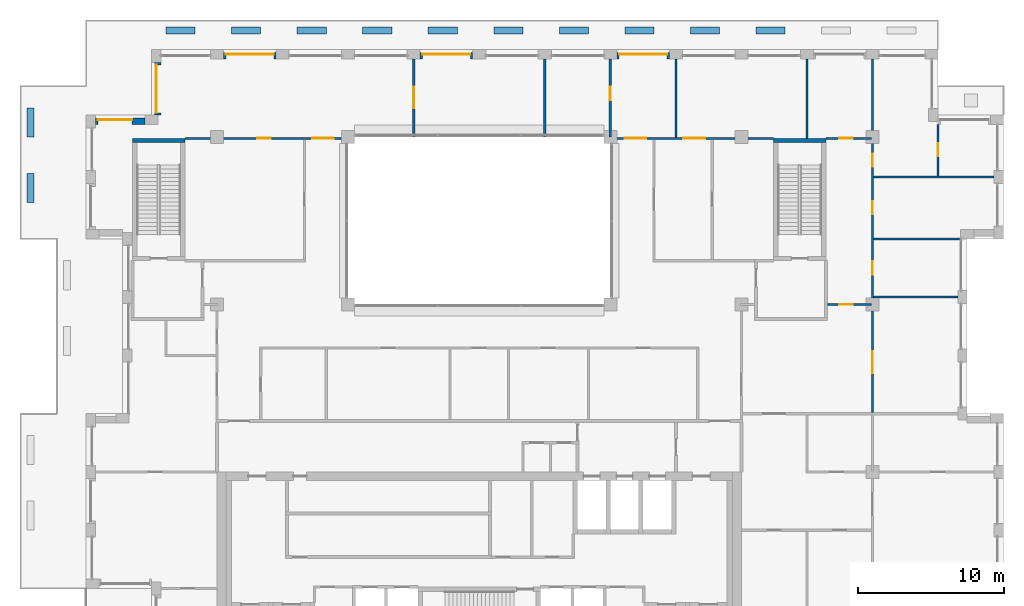
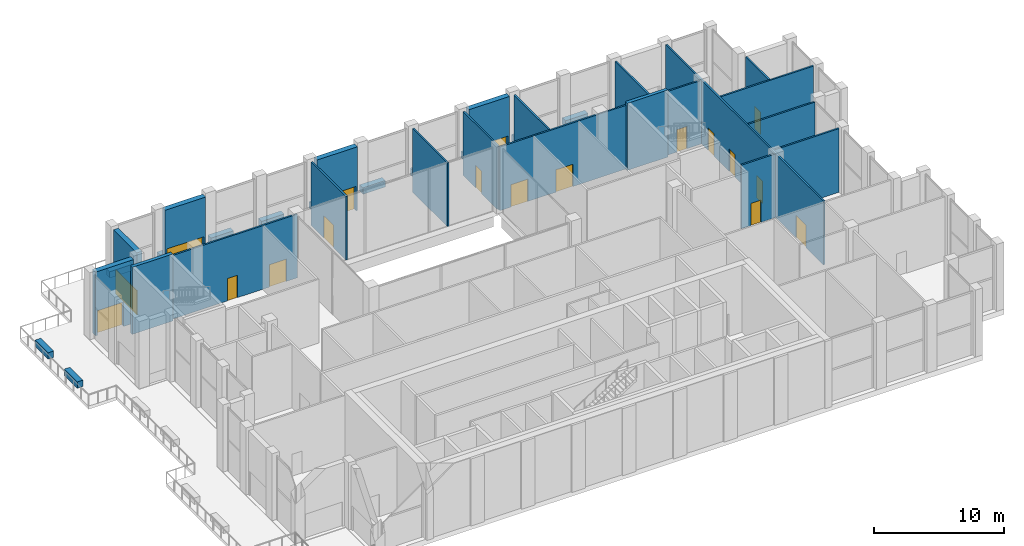
# One storey, part 15 of 18: 33 walls, 18 doors, 18 openings.
"""IFC4 building model written with IfcOpenShell, lengths in metres."""

from ifc_helpers import new_model, si_unit, direction, frame, frame_2d, origin, place, context, subcontext, project, spatial, rectangle, extrude, material, layer, layer_set, type_object, element, fill, save


model = new_model("IFC4")

# Units and contexts
model_context = context("Model", 3, precision=1e-05, world=origin(), true_north=direction((0.0, 1.0)))
body_context = subcontext(model_context, "Body", "Model", "MODEL_VIEW")
ifc_project = project(units=[si_unit("LENGTHUNIT", "METRE"), si_unit("AREAUNIT", "SQUARE_METRE"), si_unit("VOLUMEUNIT", "CUBIC_METRE"), si_unit("PLANEANGLEUNIT", "RADIAN"), si_unit("MASSUNIT", "GRAM", prefix="KILO")], contexts=[model_context])

# Site, building, storey
site_placement = place(None, origin())
site = spatial("IfcSite", under=ifc_project, at=site_placement, CompositionType="ELEMENT")
building_placement = place(site_placement, origin())
building = spatial("IfcBuilding", under=site, at=building_placement, Name="Brigalow Station Residences", CompositionType="ELEMENT")
storey_placement = place(building_placement, frame((0.0, 0.0, 191.699951171875)))
storey = spatial("IfcBuildingStorey", under=building, at=storey_placement, Name="L55", CompositionType="ELEMENT", Elevation=191.699951171875)

# Wall, opening, door
ifc_material_1 = material(Name="Clay brick masonry", Category="masonry")
ifc_layer_1 = layer(ifc_material_1, 0.449951171875)
ifc_layer_set_1 = layer_set([ifc_layer_1], Name="BRICK INFILL WALL 450")
wall_type_1 = type_object("IfcWallType", Name="BRICK INFILL WALL 450", PredefinedType="SOLIDWALL", material=ifc_layer_set_1)
wall_1_placement = place(storey_placement, frame((49.050048828125, 41.074951171875, 0.0), z_axis=(0.0, 0.0, 1.0), x_axis=(-1.0, 0.0, 0.0)))
wall_1 = element("IfcWall", 1, at=wall_1_placement, inside=storey, type_object=wall_type_1, Name="L55/ewall/W-L55-24", PredefinedType="SOLIDWALL", context=body_context, shape_type="SweptSolid", body=[
    extrude(rectangle(XDim=3.60009765625, YDim=0.449951171875, at=frame_2d((1.800048828125, 0.0))), origin(), (0.0, 0.0, 1.0), 5.97998046875),
])
opening_1_placement = place(wall_1_placement, frame((0.14990234375, 0.0, 0.0)))
opening_1 = element("IfcOpeningElement", 2, at=opening_1_placement, cuts=wall_1, Name="Opening D-B3300", PredefinedType="OPENING", context=body_context, shape_type="SweptSolid", body=[
    extrude(rectangle(XDim=3.300048828125, YDim=2.300048828125, at=frame_2d((1.64990234375, 1.14990234375))), frame((0.0, 0.23486328125, 0.0), z_axis=(0.0, -1.0, 0.0), x_axis=(1.0, 0.0, 0.0)), (0.0, 0.0, 1.0), 0.469970703125),
])
ifc_material_2 = material(Name="Anodised aluminium frame with double glazing", Category="aluminium")
door_type_1 = type_object("IfcDoorType", Name="BALCONY SLIDING DOOR 3300x2300", OperationType="SLIDING_TO_LEFT", PredefinedType="DOOR", material=ifc_material_2)
door_1_placement = place(opening_1_placement, origin())
door_1 = element("IfcDoor", 3, at=door_1_placement, inside=storey, type_object=door_type_1, Name="L55/balcony-door/W-L55-24", OperationType="SLIDING_TO_LEFT", OverallHeight=2.300048828125, OverallWidth=3.300048828125, PredefinedType="DOOR", context=body_context, shape_type="SweptSolid", body=[
    extrude(rectangle(XDim=3.300048828125, YDim=2.300048828125, at=frame_2d((1.64990234375, 1.14990234375))), frame((0.0, -0.06982421875, 0.0), z_axis=(0.0, -1.0, 0.0), x_axis=(1.0, 0.0, 0.0)), (0.0, 0.0, 1.0), 0.050048828125),
])
fill(opening_1, door_1)

wall_2_placement = place(storey_placement, frame((35.550048828125, 41.074951171875, 0.0), z_axis=(0.0, 0.0, 1.0), x_axis=(-1.0, 0.0, 0.0)))
wall_2 = element("IfcWall", 4, at=wall_2_placement, inside=storey, type_object=wall_type_1, Name="L55/ewall/W-L55-27", PredefinedType="SOLIDWALL", context=body_context, shape_type="SweptSolid", body=[
    extrude(rectangle(XDim=3.60009765625, YDim=0.449951171875, at=frame_2d((1.800048828125, 0.0))), origin(), (0.0, 0.0, 1.0), 5.97998046875),
])
opening_2_placement = place(wall_2_placement, frame((0.14990234375, 0.0, 0.0)))
opening_2 = element("IfcOpeningElement", 5, at=opening_2_placement, cuts=wall_2, Name="Opening D-B3300", PredefinedType="OPENING", context=body_context, shape_type="SweptSolid", body=[
    extrude(rectangle(XDim=3.300048828125, YDim=2.300048828125, at=frame_2d((1.64990234375, 1.14990234375))), frame((0.0, 0.23486328125, 0.0), z_axis=(0.0, -1.0, 0.0), x_axis=(1.0, 0.0, 0.0)), (0.0, 0.0, 1.0), 0.469970703125),
])
door_2_placement = place(opening_2_placement, origin())
door_2 = element("IfcDoor", 6, at=door_2_placement, inside=storey, type_object=door_type_1, Name="L55/balcony-door/W-L55-27", OperationType="SLIDING_TO_LEFT", OverallHeight=2.300048828125, OverallWidth=3.300048828125, PredefinedType="DOOR", context=body_context, shape_type="SweptSolid", body=[
    extrude(rectangle(XDim=3.300048828125, YDim=2.300048828125, at=frame_2d((1.64990234375, 1.14990234375))), frame((0.0, -0.06982421875, 0.0), z_axis=(0.0, -1.0, 0.0), x_axis=(1.0, 0.0, 0.0)), (0.0, 0.0, 1.0), 0.050048828125),
])
fill(opening_2, door_2)

wall_3_placement = place(storey_placement, frame((22.050048828125, 41.074951171875, 0.0), z_axis=(0.0, 0.0, 1.0), x_axis=(-1.0, 0.0, 0.0)))
wall_3 = element("IfcWall", 7, at=wall_3_placement, inside=storey, type_object=wall_type_1, Name="L55/ewall/W-L55-30", PredefinedType="SOLIDWALL", context=body_context, shape_type="SweptSolid", body=[
    extrude(rectangle(XDim=3.60009765625, YDim=0.449951171875, at=frame_2d((1.800048828125, 0.0))), origin(), (0.0, 0.0, 1.0), 5.97998046875),
])
opening_3_placement = place(wall_3_placement, frame((0.14990234375, 0.0, 0.0)))
opening_3 = element("IfcOpeningElement", 8, at=opening_3_placement, cuts=wall_3, Name="Opening D-B3300", PredefinedType="OPENING", context=body_context, shape_type="SweptSolid", body=[
    extrude(rectangle(XDim=3.300048828125, YDim=2.300048828125, at=frame_2d((1.64990234375, 1.14990234375))), frame((0.0, 0.23486328125, 0.0), z_axis=(0.0, -1.0, 0.0), x_axis=(1.0, 0.0, 0.0)), (0.0, 0.0, 1.0), 0.469970703125),
])
door_3_placement = place(opening_3_placement, origin())
door_3 = element("IfcDoor", 9, at=door_3_placement, inside=storey, type_object=door_type_1, Name="L55/balcony-door/W-L55-30", OperationType="SLIDING_TO_LEFT", OverallHeight=2.300048828125, OverallWidth=3.300048828125, PredefinedType="DOOR", context=body_context, shape_type="SweptSolid", body=[
    extrude(rectangle(XDim=3.300048828125, YDim=2.300048828125, at=frame_2d((1.64990234375, 1.14990234375))), frame((0.0, -0.06982421875, 0.0), z_axis=(0.0, -1.0, 0.0), x_axis=(1.0, 0.0, 0.0)), (0.0, 0.0, 1.0), 0.050048828125),
])
fill(opening_3, door_3)

wall_4_placement = place(storey_placement, frame((13.925048828125, 40.60009765625, 0.0), z_axis=(0.0, 0.0, 1.0), x_axis=(0.0, -1.0, 0.0)))
wall_4 = element("IfcWall", 10, at=wall_4_placement, inside=storey, type_object=wall_type_1, Name="L55/ewall/W-L55-32", PredefinedType="SOLIDWALL", context=body_context, shape_type="SweptSolid", body=[
    extrude(rectangle(XDim=3.60009765625, YDim=0.449951171875, at=frame_2d((1.800048828125, 0.0))), origin(), (0.0, 0.0, 1.0), 5.97998046875),
])
opening_4_placement = place(wall_4_placement, frame((0.14990234375, 0.0, 0.0)))
opening_4 = element("IfcOpeningElement", 11, at=opening_4_placement, cuts=wall_4, Name="Opening D-B3300", PredefinedType="OPENING", context=body_context, shape_type="SweptSolid", body=[
    extrude(rectangle(XDim=3.300048828125, YDim=2.300048828125, at=frame_2d((1.64990234375, 1.14990234375))), frame((0.0, 0.23486328125, 0.0), z_axis=(0.0, -1.0, 0.0), x_axis=(1.0, 0.0, 0.0)), (0.0, 0.0, 1.0), 0.469970703125),
])
door_4_placement = place(opening_4_placement, origin())
door_4 = element("IfcDoor", 12, at=door_4_placement, inside=storey, type_object=door_type_1, Name="L55/balcony-door/W-L55-32", OperationType="SLIDING_TO_LEFT", OverallHeight=2.300048828125, OverallWidth=3.300048828125, PredefinedType="DOOR", context=body_context, shape_type="SweptSolid", body=[
    extrude(rectangle(XDim=3.300048828125, YDim=2.300048828125, at=frame_2d((1.64990234375, 1.14990234375))), frame((0.0, -0.06982421875, 0.0), z_axis=(0.0, -1.0, 0.0), x_axis=(1.0, 0.0, 0.0)), (0.0, 0.0, 1.0), 0.050048828125),
])
fill(opening_4, door_4)

wall_5_placement = place(storey_placement, frame((13.050048828125, 36.574951171875, 0.0), z_axis=(0.0, 0.0, 1.0), x_axis=(-1.0, 0.0, 0.0)))
wall_5 = element("IfcWall", 13, at=wall_5_placement, inside=storey, type_object=wall_type_1, Name="L55/ewall/W-L55-33", PredefinedType="SOLIDWALL", context=body_context, shape_type="SweptSolid", body=[
    extrude(rectangle(XDim=3.400146484375, YDim=0.449951171875, at=frame_2d((1.7001953125, 0.0))), origin(), (0.0, 0.0, 1.0), 5.97998046875),
])
opening_5_placement = place(wall_5_placement, frame((0.885009765625, 0.0, 0.0)))
opening_5 = element("IfcOpeningElement", 14, at=opening_5_placement, cuts=wall_5, Name="Opening D-B2350", PredefinedType="OPENING", context=body_context, shape_type="SweptSolid", body=[
    extrude(rectangle(XDim=2.35009765625, YDim=2.300048828125, at=frame_2d((1.175048828125, 1.14990234375))), frame((0.0, 0.23486328125, 0.0), z_axis=(0.0, -1.0, 0.0), x_axis=(1.0, 0.0, 0.0)), (0.0, 0.0, 1.0), 0.469970703125),
])
ifc_material_3 = material(Name="Anodised aluminium frame with double glazing", Category="aluminium")
door_type_2 = type_object("IfcDoorType", Name="BALCONY SLIDING DOOR 2350x2300", OperationType="SLIDING_TO_LEFT", PredefinedType="DOOR", material=ifc_material_3)
door_5_placement = place(opening_5_placement, origin())
door_5 = element("IfcDoor", 15, at=door_5_placement, inside=storey, type_object=door_type_2, Name="L55/balcony-door/W-L55-33", OperationType="SLIDING_TO_LEFT", OverallHeight=2.300048828125, OverallWidth=2.35009765625, PredefinedType="DOOR", context=body_context, shape_type="SweptSolid", body=[
    extrude(rectangle(XDim=2.35009765625, YDim=2.300048828125, at=frame_2d((1.175048828125, 1.14990234375))), frame((0.0, -0.06982421875, 0.0), z_axis=(0.0, -1.0, 0.0), x_axis=(1.0, 0.0, 0.0)), (0.0, 0.0, 1.0), 0.050048828125),
])
fill(opening_5, door_5)

# Walls
ifc_material_4 = material(Name="Concrete C50", Category="concrete")
ifc_layer_2 = layer(ifc_material_4, 0.300048828125)
ifc_layer_set_2 = layer_set([ifc_layer_2], Name="CORE SHEAR WALL 300 C50")
wall_type_2 = type_object("IfcWallType", Name="CORE SHEAR WALL 300 C50", PredefinedType="SHEAR", material=ifc_layer_set_2)
for number, where, z_axis, x_axis, name in (
    (16, (12.199951171875, 35.25, 0.0), (0.0, 0.0, 1.0), (1.0, 0.0, 0.0), "CORE WALL ST-S1-N L55"),
    (17, (56.199951171875, 35.25, 0.0), (0.0, 0.0, 1.0), (1.0, 0.0, 0.0), "CORE WALL ST-S3-N L55"),
):
    element("IfcWall", number, at=place(storey_placement, frame(where, z_axis=z_axis, x_axis=x_axis)), inside=storey, type_object=wall_type_2, Name=name, PredefinedType="SHEAR", context=body_context, shape_type="SweptSolid", body=[
        extrude(rectangle(XDim=3.60009765625, YDim=0.300048828125, at=frame_2d((1.800048828125, 0.0))), origin(), (0.0, 0.0, 1.0), 6.300048828125),
    ])

# Wall, opening, door
ifc_material_5 = material(Name="Plasterboard on steel stud partition", Category="steel")
ifc_layer_3 = layer(ifc_material_5, 0.14990234375)
ifc_layer_set_3 = layer_set([ifc_layer_3], Name="FLAT PARTITION 150")
wall_type_3 = type_object("IfcWallType", Name="FLAT PARTITION 150", PredefinedType="PARTITIONING", material=ifc_layer_set_3)
wall_6_placement = place(storey_placement, frame((59.89990234375, 24.0, 0.0), z_axis=(0.0, 0.0, 1.0), x_axis=(1.0, 0.0, 0.0)))
wall_6 = element("IfcWall", 18, at=wall_6_placement, inside=storey, type_object=wall_type_3, Name="PW-SA206", PredefinedType="PARTITIONING", context=body_context, shape_type="SweptSolid", body=[
    extrude(rectangle(XDim=3.025146484375, YDim=0.14990234375, at=frame_2d((1.5126953125, 0.0))), origin(), (0.0, 0.0, 1.0), 5.97998046875),
])
opening_6_placement = place(wall_6_placement, frame((0.824951171875, 0.0, 0.0)))
opening_6 = element("IfcOpeningElement", 19, at=opening_6_placement, cuts=wall_6, Name="Opening D-SA229", PredefinedType="OPENING", context=body_context, shape_type="SweptSolid", body=[
    extrude(rectangle(XDim=0.89990234375, YDim=2.10009765625, at=frame_2d((0.449951171875, 1.050048828125))), frame((0.0, 0.0849609375, 0.0), z_axis=(0.0, -1.0, 0.0), x_axis=(1.0, 0.0, 0.0)), (0.0, 0.0, 1.0), 0.169921875),
])
ifc_material_6 = material(Name="Solid-core timber door leaf", Category="wood")
door_type_3 = type_object("IfcDoorType", Name="INTERNAL DOOR 900 x 2100", OperationType="SINGLE_SWING_LEFT", PredefinedType="DOOR", material=ifc_material_6)
door_6_placement = place(opening_6_placement, origin())
door_6 = element("IfcDoor", 20, at=door_6_placement, inside=storey, type_object=door_type_3, Name="D-SA229", OperationType="SINGLE_SWING_LEFT", OverallHeight=2.10009765625, OverallWidth=0.89990234375, PredefinedType="DOOR", context=body_context, shape_type="SweptSolid", body=[
    extrude(rectangle(XDim=0.89990234375, YDim=2.10009765625, at=frame_2d((0.449951171875, 1.050048828125))), frame((0.0, 0.02490234375, 0.0), z_axis=(0.0, -1.0, 0.0), x_axis=(1.0, 0.0, 0.0)), (0.0, 0.0, 1.0), 0.050048828125),
])
fill(opening_6, door_6)

# Wall, openings, doors
wall_7_placement = place(storey_placement, frame((15.800048828125, 35.39990234375, 0.0), z_axis=(0.0, 0.0, 1.0), x_axis=(1.0, 0.0, 0.0)))
wall_7 = element("IfcWall", 21, at=wall_7_placement, inside=storey, type_object=wall_type_3, Name="PW-SA207", PredefinedType="PARTITIONING", context=body_context, shape_type="SweptSolid", body=[
    extrude(rectangle(XDim=11.199951171875, YDim=0.14990234375, at=frame_2d((5.60009765625, 0.0))), origin(), (0.0, 0.0, 1.0), 5.97998046875),
])
opening_7_placement = place(wall_7_placement, frame((8.72509765625, 0.0, 0.0)))
opening_7 = element("IfcOpeningElement", 22, at=opening_7_placement, cuts=wall_7, Name="Opening D-SA203", PredefinedType="OPENING", context=body_context, shape_type="SweptSolid", body=[
    extrude(rectangle(XDim=1.5, YDim=2.10009765625, at=frame_2d((0.75, 1.050048828125))), frame((0.0, 0.0849609375, 0.0), z_axis=(0.0, -1.0, 0.0), x_axis=(1.0, 0.0, 0.0)), (0.0, 0.0, 1.0), 0.169921875),
])
opening_8_placement = place(wall_7_placement, frame((4.97509765625, 0.0, 0.0)))
opening_8 = element("IfcOpeningElement", 23, at=opening_8_placement, cuts=wall_7, Name="Opening D-SA206", PredefinedType="OPENING", context=body_context, shape_type="SweptSolid", body=[
    extrude(rectangle(XDim=0.89990234375, YDim=2.10009765625, at=frame_2d((0.449951171875, 1.050048828125))), frame((0.0, 0.0849609375, 0.0), z_axis=(0.0, -1.0, 0.0), x_axis=(1.0, 0.0, 0.0)), (0.0, 0.0, 1.0), 0.169921875),
])
door_7_placement = place(opening_8_placement, frame((0.89990234375, 0.0, 0.0), z_axis=(0.0, 0.0, 1.0), x_axis=(-1.0, 0.0, 0.0)))
door_7 = element("IfcDoor", 24, at=door_7_placement, inside=storey, type_object=door_type_3, Name="D-SA206", OperationType="SINGLE_SWING_LEFT", OverallHeight=2.10009765625, OverallWidth=0.89990234375, PredefinedType="DOOR", context=body_context, shape_type="SweptSolid", body=[
    extrude(rectangle(XDim=0.89990234375, YDim=2.10009765625, at=frame_2d((0.449951171875, 1.050048828125))), frame((0.0, 0.02490234375, 0.0), z_axis=(0.0, -1.0, 0.0), x_axis=(1.0, 0.0, 0.0)), (0.0, 0.0, 1.0), 0.050048828125),
])
fill(opening_8, door_7)
ifc_material_7 = material(Name="Solid-core timber door leaf", Category="wood")
door_type_4 = type_object("IfcDoorType", Name="INTERNAL DOUBLE DOOR 1500 x 2100", OperationType="DOUBLE_DOOR_SINGLE_SWING", PredefinedType="DOOR", material=ifc_material_7)
door_8_placement = place(opening_7_placement, frame((1.5, 0.0, 0.0), z_axis=(0.0, 0.0, 1.0), x_axis=(-1.0, 0.0, 0.0)))
door_8 = element("IfcDoor", 25, at=door_8_placement, inside=storey, type_object=door_type_4, Name="D-SA203", OperationType="DOUBLE_DOOR_SINGLE_SWING", OverallHeight=2.10009765625, OverallWidth=1.5, PredefinedType="DOOR", context=body_context, shape_type="SweptSolid", body=[
    extrude(rectangle(XDim=1.5, YDim=2.10009765625, at=frame_2d((0.75, 1.050048828125))), frame((0.0, 0.02490234375, 0.0), z_axis=(0.0, -1.0, 0.0), x_axis=(1.0, 0.0, 0.0)), (0.0, 0.0, 1.0), 0.050048828125),
])
fill(opening_7, door_8)

wall_8_placement = place(storey_placement, frame((45.0, 35.39990234375, 0.0), z_axis=(0.0, 0.0, 1.0), x_axis=(1.0, 0.0, 0.0)))
wall_8 = element("IfcWall", 26, at=wall_8_placement, inside=storey, type_object=wall_type_3, Name="PW-SA208", PredefinedType="PARTITIONING", context=body_context, shape_type="SweptSolid", body=[
    extrude(rectangle(XDim=11.199951171875, YDim=0.14990234375, at=frame_2d((5.60009765625, 0.0))), origin(), (0.0, 0.0, 1.0), 5.97998046875),
])
opening_9_placement = place(wall_8_placement, frame((0.97509765625, 0.0, 0.0)))
opening_9 = element("IfcOpeningElement", 27, at=opening_9_placement, cuts=wall_8, Name="Opening D-SA208", PredefinedType="OPENING", context=body_context, shape_type="SweptSolid", body=[
    extrude(rectangle(XDim=1.5, YDim=2.10009765625, at=frame_2d((0.75, 1.050048828125))), frame((0.0, 0.0849609375, 0.0), z_axis=(0.0, -1.0, 0.0), x_axis=(1.0, 0.0, 0.0)), (0.0, 0.0, 1.0), 0.169921875),
])
opening_10_placement = place(wall_8_placement, frame((5.0, 0.0, 0.0)))
opening_10 = element("IfcOpeningElement", 28, at=opening_10_placement, cuts=wall_8, Name="Opening D-SA210", PredefinedType="OPENING", context=body_context, shape_type="SweptSolid", body=[
    extrude(rectangle(XDim=1.5, YDim=2.10009765625, at=frame_2d((0.75, 1.050048828125))), frame((0.0, 0.0849609375, 0.0), z_axis=(0.0, -1.0, 0.0), x_axis=(1.0, 0.0, 0.0)), (0.0, 0.0, 1.0), 0.169921875),
])
door_9_placement = place(opening_9_placement, origin())
door_9 = element("IfcDoor", 29, at=door_9_placement, inside=storey, type_object=door_type_4, Name="D-SA208", OperationType="DOUBLE_DOOR_SINGLE_SWING", OverallHeight=2.10009765625, OverallWidth=1.5, PredefinedType="DOOR", context=body_context, shape_type="SweptSolid", body=[
    extrude(rectangle(XDim=1.5, YDim=2.10009765625, at=frame_2d((0.75, 1.050048828125))), frame((0.0, 0.02490234375, 0.0), z_axis=(0.0, -1.0, 0.0), x_axis=(1.0, 0.0, 0.0)), (0.0, 0.0, 1.0), 0.050048828125),
])
fill(opening_9, door_9)
door_10_placement = place(opening_10_placement, frame((1.5, 0.0, 0.0), z_axis=(0.0, 0.0, 1.0), x_axis=(-1.0, 0.0, 0.0)))
door_10 = element("IfcDoor", 30, at=door_10_placement, inside=storey, type_object=door_type_4, Name="D-SA210", OperationType="DOUBLE_DOOR_SINGLE_SWING", OverallHeight=2.10009765625, OverallWidth=1.5, PredefinedType="DOOR", context=body_context, shape_type="SweptSolid", body=[
    extrude(rectangle(XDim=1.5, YDim=2.10009765625, at=frame_2d((0.75, 1.050048828125))), frame((0.0, 0.02490234375, 0.0), z_axis=(0.0, -1.0, 0.0), x_axis=(1.0, 0.0, 0.0)), (0.0, 0.0, 1.0), 0.050048828125),
])
fill(opening_10, door_10)

# Wall, opening, door
wall_9_placement = place(storey_placement, frame((59.800048828125, 35.39990234375, 0.0), z_axis=(0.0, 0.0, 1.0), x_axis=(1.0, 0.0, 0.0)))
wall_9 = element("IfcWall", 31, at=wall_9_placement, inside=storey, type_object=wall_type_3, Name="PW-SA209", PredefinedType="PARTITIONING", context=body_context, shape_type="SweptSolid", body=[
    extrude(rectangle(XDim=3.125, YDim=0.14990234375, at=frame_2d((1.5625, 0.0))), origin(), (0.0, 0.0, 1.0), 5.97998046875),
])
opening_11_placement = place(wall_9_placement, frame((0.925048828125, 0.0, 0.0)))
opening_11 = element("IfcOpeningElement", 32, at=opening_11_placement, cuts=wall_9, Name="Opening D-SA233", PredefinedType="OPENING", context=body_context, shape_type="SweptSolid", body=[
    extrude(rectangle(XDim=0.89990234375, YDim=2.10009765625, at=frame_2d((0.449951171875, 1.050048828125))), frame((0.0, 0.0849609375, 0.0), z_axis=(0.0, -1.0, 0.0), x_axis=(1.0, 0.0, 0.0)), (0.0, 0.0, 1.0), 0.169921875),
])
door_11_placement = place(opening_11_placement, origin())
door_11 = element("IfcDoor", 33, at=door_11_placement, inside=storey, type_object=door_type_3, Name="D-SA233", OperationType="SINGLE_SWING_RIGHT", OverallHeight=2.10009765625, OverallWidth=0.89990234375, PredefinedType="DOOR", context=body_context, shape_type="SweptSolid", body=[
    extrude(rectangle(XDim=0.89990234375, YDim=2.10009765625, at=frame_2d((0.449951171875, 1.050048828125))), frame((0.0, 0.02490234375, 0.0), z_axis=(0.0, -1.0, 0.0), x_axis=(1.0, 0.0, 0.0)), (0.0, 0.0, 1.0), 0.050048828125),
])
fill(opening_11, door_11)

# Walls
wall_10_placement = place(storey_placement, frame((63.074951171875, 24.5, 0.0), z_axis=(0.0, 0.0, 1.0), x_axis=(1.0, 0.0, 0.0)))
element("IfcWall", 34, at=wall_10_placement, inside=storey, type_object=wall_type_3, Name="PW-SA216", PredefinedType="PARTITIONING", context=body_context, shape_type="SweptSolid", body=[
    extrude(rectangle(XDim=5.775146484375, YDim=0.14990234375, at=frame_2d((2.8876953125, 0.0))), origin(), (0.0, 0.0, 1.0), 5.97998046875),
])
wall_11_placement = place(storey_placement, frame((63.074951171875, 28.5, 0.0), z_axis=(0.0, 0.0, 1.0), x_axis=(1.0, 0.0, 0.0)))
element("IfcWall", 35, at=wall_11_placement, inside=storey, type_object=wall_type_3, Name="PW-SA217", PredefinedType="PARTITIONING", context=body_context, shape_type="SweptSolid", body=[
    extrude(rectangle(XDim=5.925048828125, YDim=0.14990234375, at=frame_2d((2.96240234375, 0.0))), origin(), (0.0, 0.0, 1.0), 5.97998046875),
])
wall_12_placement = place(storey_placement, frame((63.074951171875, 32.75, 0.0), z_axis=(0.0, 0.0, 1.0), x_axis=(1.0, 0.0, 0.0)))
element("IfcWall", 36, at=wall_12_placement, inside=storey, type_object=wall_type_3, Name="PW-SA218", PredefinedType="PARTITIONING", context=body_context, shape_type="SweptSolid", body=[
    extrude(rectangle(XDim=8.275146484375, YDim=0.14990234375, at=frame_2d((4.1376953125, 0.0))), origin(), (0.0, 0.0, 1.0), 5.97998046875),
])

# Wall, opening, door
wall_13_placement = place(storey_placement, frame((31.5, 35.5, 0.0), z_axis=(0.0, 0.0, 1.0), x_axis=(0.0, 1.0, 0.0)))
wall_13 = element("IfcWall", 37, at=wall_13_placement, inside=storey, type_object=wall_type_3, Name="PW-SA226", PredefinedType="PARTITIONING", context=body_context, shape_type="SweptSolid", body=[
    extrude(rectangle(XDim=5.35009765625, YDim=0.14990234375, at=frame_2d((2.675048828125, 0.0))), origin(), (0.0, 0.0, 1.0), 5.97998046875),
])
opening_12_placement = place(wall_13_placement, frame((1.949951171875, 0.0, 0.0)))
opening_12 = element("IfcOpeningElement", 38, at=opening_12_placement, cuts=wall_13, Name="Opening D-SA204", PredefinedType="OPENING", context=body_context, shape_type="SweptSolid", body=[
    extrude(rectangle(XDim=1.5, YDim=2.10009765625, at=frame_2d((0.75, 1.050048828125))), frame((0.0, 0.0849609375, 0.0), z_axis=(0.0, -1.0, 0.0), x_axis=(1.0, 0.0, 0.0)), (0.0, 0.0, 1.0), 0.169921875),
])
door_12_placement = place(opening_12_placement, frame((1.5, 0.0, 0.0), z_axis=(0.0, 0.0, 1.0), x_axis=(-1.0, 0.0, 0.0)))
door_12 = element("IfcDoor", 39, at=door_12_placement, inside=storey, type_object=door_type_4, Name="D-SA204", OperationType="DOUBLE_DOOR_SINGLE_SWING", OverallHeight=2.10009765625, OverallWidth=1.5, PredefinedType="DOOR", context=body_context, shape_type="SweptSolid", body=[
    extrude(rectangle(XDim=1.5, YDim=2.10009765625, at=frame_2d((0.75, 1.050048828125))), frame((0.0, 0.02490234375, 0.0), z_axis=(0.0, -1.0, 0.0), x_axis=(1.0, 0.0, 0.0)), (0.0, 0.0, 1.0), 0.050048828125),
])
fill(opening_12, door_12)

# Wall
wall_14_placement = place(storey_placement, frame((40.5, 35.5, 0.0), z_axis=(0.0, 0.0, 1.0), x_axis=(0.0, 1.0, 0.0)))
element("IfcWall", 40, at=wall_14_placement, inside=storey, type_object=wall_type_3, Name="PW-SA227", PredefinedType="PARTITIONING", context=body_context, shape_type="SweptSolid", body=[
    extrude(rectangle(XDim=5.35009765625, YDim=0.14990234375, at=frame_2d((2.675048828125, 0.0))), origin(), (0.0, 0.0, 1.0), 5.97998046875),
])

# Wall, opening, door
wall_15_placement = place(storey_placement, frame((45.0, 35.5, 0.0), z_axis=(0.0, 0.0, 1.0), x_axis=(0.0, 1.0, 0.0)))
wall_15 = element("IfcWall", 41, at=wall_15_placement, inside=storey, type_object=wall_type_3, Name="PW-SA228", PredefinedType="PARTITIONING", context=body_context, shape_type="SweptSolid", body=[
    extrude(rectangle(XDim=5.35009765625, YDim=0.14990234375, at=frame_2d((2.675048828125, 0.0))), origin(), (0.0, 0.0, 1.0), 5.97998046875),
])
opening_13_placement = place(wall_15_placement, frame((2.52490234375, 0.0, 0.0)))
opening_13 = element("IfcOpeningElement", 42, at=opening_13_placement, cuts=wall_15, Name="Opening D-SA207", PredefinedType="OPENING", context=body_context, shape_type="SweptSolid", body=[
    extrude(rectangle(XDim=0.89990234375, YDim=2.10009765625, at=frame_2d((0.449951171875, 1.050048828125))), frame((0.0, 0.0849609375, 0.0), z_axis=(0.0, -1.0, 0.0), x_axis=(1.0, 0.0, 0.0)), (0.0, 0.0, 1.0), 0.169921875),
])
door_13_placement = place(opening_13_placement, origin())
door_13 = element("IfcDoor", 43, at=door_13_placement, inside=storey, type_object=door_type_3, Name="D-SA207", OperationType="SINGLE_SWING_RIGHT", OverallHeight=2.10009765625, OverallWidth=0.89990234375, PredefinedType="DOOR", context=body_context, shape_type="SweptSolid", body=[
    extrude(rectangle(XDim=0.89990234375, YDim=2.10009765625, at=frame_2d((0.449951171875, 1.050048828125))), frame((0.0, 0.02490234375, 0.0), z_axis=(0.0, -1.0, 0.0), x_axis=(1.0, 0.0, 0.0)), (0.0, 0.0, 1.0), 0.050048828125),
])
fill(opening_13, door_13)

# Walls
wall_16_placement = place(storey_placement, frame((49.5, 35.47509765625, 0.0), z_axis=(0.0, 0.0, 1.0), x_axis=(0.0, 1.0, 0.0)))
element("IfcWall", 44, at=wall_16_placement, inside=storey, type_object=wall_type_3, Name="PW-SA229", PredefinedType="PARTITIONING", context=body_context, shape_type="SweptSolid", body=[
    extrude(rectangle(XDim=5.375, YDim=0.14990234375, at=frame_2d((2.6875, 0.0))), origin(), (0.0, 0.0, 1.0), 5.97998046875),
])
wall_17_placement = place(storey_placement, frame((58.5, 35.39990234375, 0.0), z_axis=(0.0, 0.0, 1.0), x_axis=(0.0, 1.0, 0.0)))
element("IfcWall", 45, at=wall_17_placement, inside=storey, type_object=wall_type_3, Name="PW-SA233", PredefinedType="PARTITIONING", context=body_context, shape_type="SweptSolid", body=[
    extrude(rectangle(XDim=5.4501953125, YDim=0.14990234375, at=frame_2d((2.72509765625, 0.0))), origin(), (0.0, 0.0, 1.0), 5.97998046875),
])

# Wall, openings, doors
wall_18_placement = place(storey_placement, frame((63.0, 16.574951171875, 0.0), z_axis=(0.0, 0.0, 1.0), x_axis=(0.0, 1.0, 0.0)))
wall_18 = element("IfcWall", 46, at=wall_18_placement, inside=storey, type_object=wall_type_3, Name="PW-SA241", PredefinedType="PARTITIONING", context=body_context, shape_type="SweptSolid", body=[
    extrude(rectangle(XDim=24.275146484375, YDim=0.14990234375, at=frame_2d((12.1376953125, 0.0))), origin(), (0.0, 0.0, 1.0), 5.97998046875),
])
opening_14_placement = place(wall_18_placement, frame((2.699951171875, 0.0, 0.0)))
opening_14 = element("IfcOpeningElement", 47, at=opening_14_placement, cuts=wall_18, Name="Opening D-SA228", PredefinedType="OPENING", context=body_context, shape_type="SweptSolid", body=[
    extrude(rectangle(XDim=1.5, YDim=2.10009765625, at=frame_2d((0.75, 1.050048828125))), frame((0.0, 0.0849609375, 0.0), z_axis=(0.0, -1.0, 0.0), x_axis=(1.0, 0.0, 0.0)), (0.0, 0.0, 1.0), 0.169921875),
])
opening_15_placement = place(wall_18_placement, frame((9.47509765625, 0.0, 0.0)))
opening_15 = element("IfcOpeningElement", 48, at=opening_15_placement, cuts=wall_18, Name="Opening D-SA230", PredefinedType="OPENING", context=body_context, shape_type="SweptSolid", body=[
    extrude(rectangle(XDim=0.89990234375, YDim=2.10009765625, at=frame_2d((0.449951171875, 1.050048828125))), frame((0.0, 0.0849609375, 0.0), z_axis=(0.0, -1.0, 0.0), x_axis=(1.0, 0.0, 0.0)), (0.0, 0.0, 1.0), 0.169921875),
])
opening_16_placement = place(wall_18_placement, frame((13.60009765625, 0.0, 0.0)))
opening_16 = element("IfcOpeningElement", 49, at=opening_16_placement, cuts=wall_18, Name="Opening D-SA231", PredefinedType="OPENING", context=body_context, shape_type="SweptSolid", body=[
    extrude(rectangle(XDim=0.89990234375, YDim=2.10009765625, at=frame_2d((0.449951171875, 1.050048828125))), frame((0.0, 0.0849609375, 0.0), z_axis=(0.0, -1.0, 0.0), x_axis=(1.0, 0.0, 0.0)), (0.0, 0.0, 1.0), 0.169921875),
])
opening_17_placement = place(wall_18_placement, frame((16.875, 0.0, 0.0)))
opening_17 = element("IfcOpeningElement", 50, at=opening_17_placement, cuts=wall_18, Name="Opening D-SA232", PredefinedType="OPENING", context=body_context, shape_type="SweptSolid", body=[
    extrude(rectangle(XDim=0.89990234375, YDim=2.10009765625, at=frame_2d((0.449951171875, 1.050048828125))), frame((0.0, 0.0849609375, 0.0), z_axis=(0.0, -1.0, 0.0), x_axis=(1.0, 0.0, 0.0)), (0.0, 0.0, 1.0), 0.169921875),
])
door_14_placement = place(opening_15_placement, frame((0.89990234375, 0.0, 0.0), z_axis=(0.0, 0.0, 1.0), x_axis=(-1.0, 0.0, 0.0)))
door_14 = element("IfcDoor", 51, at=door_14_placement, inside=storey, type_object=door_type_3, Name="D-SA230", OperationType="SINGLE_SWING_LEFT", OverallHeight=2.10009765625, OverallWidth=0.89990234375, PredefinedType="DOOR", context=body_context, shape_type="SweptSolid", body=[
    extrude(rectangle(XDim=0.89990234375, YDim=2.10009765625, at=frame_2d((0.449951171875, 1.050048828125))), frame((0.0, 0.02490234375, 0.0), z_axis=(0.0, -1.0, 0.0), x_axis=(1.0, 0.0, 0.0)), (0.0, 0.0, 1.0), 0.050048828125),
])
fill(opening_15, door_14)
door_15_placement = place(opening_16_placement, frame((0.89990234375, 0.0, 0.0), z_axis=(0.0, 0.0, 1.0), x_axis=(-1.0, 0.0, 0.0)))
door_15 = element("IfcDoor", 52, at=door_15_placement, inside=storey, type_object=door_type_3, Name="D-SA231", OperationType="SINGLE_SWING_RIGHT", OverallHeight=2.10009765625, OverallWidth=0.89990234375, PredefinedType="DOOR", context=body_context, shape_type="SweptSolid", body=[
    extrude(rectangle(XDim=0.89990234375, YDim=2.10009765625, at=frame_2d((0.449951171875, 1.050048828125))), frame((0.0, 0.02490234375, 0.0), z_axis=(0.0, -1.0, 0.0), x_axis=(1.0, 0.0, 0.0)), (0.0, 0.0, 1.0), 0.050048828125),
])
fill(opening_16, door_15)
door_16_placement = place(opening_17_placement, frame((0.89990234375, 0.0, 0.0), z_axis=(0.0, 0.0, 1.0), x_axis=(-1.0, 0.0, 0.0)))
door_16 = element("IfcDoor", 53, at=door_16_placement, inside=storey, type_object=door_type_3, Name="D-SA232", OperationType="SINGLE_SWING_RIGHT", OverallHeight=2.10009765625, OverallWidth=0.89990234375, PredefinedType="DOOR", context=body_context, shape_type="SweptSolid", body=[
    extrude(rectangle(XDim=0.89990234375, YDim=2.10009765625, at=frame_2d((0.449951171875, 1.050048828125))), frame((0.0, 0.02490234375, 0.0), z_axis=(0.0, -1.0, 0.0), x_axis=(1.0, 0.0, 0.0)), (0.0, 0.0, 1.0), 0.050048828125),
])
fill(opening_17, door_16)
door_17_placement = place(opening_14_placement, frame((1.5, 0.0, 0.0), z_axis=(0.0, 0.0, 1.0), x_axis=(-1.0, 0.0, 0.0)))
door_17 = element("IfcDoor", 54, at=door_17_placement, inside=storey, type_object=door_type_4, Name="D-SA228", OperationType="DOUBLE_DOOR_SINGLE_SWING", OverallHeight=2.10009765625, OverallWidth=1.5, PredefinedType="DOOR", context=body_context, shape_type="SweptSolid", body=[
    extrude(rectangle(XDim=1.5, YDim=2.10009765625, at=frame_2d((0.75, 1.050048828125))), frame((0.0, 0.02490234375, 0.0), z_axis=(0.0, -1.0, 0.0), x_axis=(1.0, 0.0, 0.0)), (0.0, 0.0, 1.0), 0.050048828125),
])
fill(opening_14, door_17)

# Wall, opening, door
wall_19_placement = place(storey_placement, frame((67.5, 32.824951171875, 0.0), z_axis=(0.0, 0.0, 1.0), x_axis=(0.0, 1.0, 0.0)))
wall_19 = element("IfcWall", 55, at=wall_19_placement, inside=storey, type_object=wall_type_3, Name="PW-SA242", PredefinedType="PARTITIONING", context=body_context, shape_type="SweptSolid", body=[
    extrude(rectangle(XDim=3.525146484375, YDim=0.14990234375, at=frame_2d((1.7626953125, 0.0))), origin(), (0.0, 0.0, 1.0), 5.97998046875),
])
opening_18_placement = place(wall_19_placement, frame((1.35009765625, 0.0, 0.0)))
opening_18 = element("IfcOpeningElement", 56, at=opening_18_placement, cuts=wall_19, Name="Opening D-SA234", PredefinedType="OPENING", context=body_context, shape_type="SweptSolid", body=[
    extrude(rectangle(XDim=0.89990234375, YDim=2.10009765625, at=frame_2d((0.449951171875, 1.050048828125))), frame((0.0, 0.0849609375, 0.0), z_axis=(0.0, -1.0, 0.0), x_axis=(1.0, 0.0, 0.0)), (0.0, 0.0, 1.0), 0.169921875),
])
door_18_placement = place(opening_18_placement, frame((0.89990234375, 0.0, 0.0), z_axis=(0.0, 0.0, 1.0), x_axis=(-1.0, 0.0, 0.0)))
door_18 = element("IfcDoor", 57, at=door_18_placement, inside=storey, type_object=door_type_3, Name="D-SA234", OperationType="SINGLE_SWING_LEFT", OverallHeight=2.10009765625, OverallWidth=0.89990234375, PredefinedType="DOOR", context=body_context, shape_type="SweptSolid", body=[
    extrude(rectangle(XDim=0.89990234375, YDim=2.10009765625, at=frame_2d((0.449951171875, 1.050048828125))), frame((0.0, 0.02490234375, 0.0), z_axis=(0.0, -1.0, 0.0), x_axis=(1.0, 0.0, 0.0)), (0.0, 0.0, 1.0), 0.050048828125),
])
fill(opening_18, door_18)

# Walls
ifc_material_8 = material(Name="Concrete C50 precast", Category="concrete")
ifc_layer_4 = layer(ifc_material_8, 0.5)
ifc_layer_set_4 = layer_set([ifc_layer_4], Name="PLANTER 500x600")
wall_type_4 = type_object("IfcWallType", Name="PLANTER 500x600", PredefinedType="USERDEFINED", material=ifc_layer_set_4)
for number, where, z_axis, x_axis, name in (
    (58, (57.0, 42.800048828125, -0.0400390625), (0.0, 0.0, 1.0), (-1.0, 0.0, 0.0), "L55/planter/1-3"),
    (59, (52.5, 42.800048828125, -0.0400390625), (0.0, 0.0, 1.0), (-1.0, 0.0, 0.0), "L55/planter/1-4"),
    (60, (48.0, 42.800048828125, -0.0400390625), (0.0, 0.0, 1.0), (-1.0, 0.0, 0.0), "L55/planter/1-5"),
    (61, (43.5, 42.800048828125, -0.0400390625), (0.0, 0.0, 1.0), (-1.0, 0.0, 0.0), "L55/planter/1-6"),
    (62, (39.0, 42.800048828125, -0.0400390625), (0.0, 0.0, 1.0), (-1.0, 0.0, 0.0), "L55/planter/1-7"),
    (63, (34.5, 42.800048828125, -0.0400390625), (0.0, 0.0, 1.0), (-1.0, 0.0, 0.0), "L55/planter/1-8"),
    (64, (30.0, 42.800048828125, -0.0400390625), (0.0, 0.0, 1.0), (-1.0, 0.0, 0.0), "L55/planter/1-9"),
    (65, (25.5, 42.800048828125, -0.0400390625), (0.0, 0.0, 1.0), (-1.0, 0.0, 0.0), "L55/planter/1-10"),
    (66, (21.0, 42.800048828125, -0.0400390625), (0.0, 0.0, 1.0), (-1.0, 0.0, 0.0), "L55/planter/1-11"),
    (67, (16.5, 42.800048828125, -0.0400390625), (0.0, 0.0, 1.0), (-1.0, 0.0, 0.0), "L55/planter/1-12"),
    (68, (5.199951171875, 37.5, -0.0400390625), (0.0, 0.0, 1.0), (0.0, -1.0, 0.0), "L55/planter/1-13"),
    (69, (5.199951171875, 33.0, -0.0400390625), (0.0, 0.0, 1.0), (0.0, -1.0, 0.0), "L55/planter/1-14"),
):
    element("IfcWall", number, at=place(storey_placement, frame(where, z_axis=z_axis, x_axis=x_axis)), inside=storey, type_object=wall_type_4, Name=name, ObjectType="PLANTER", PredefinedType="USERDEFINED", context=body_context, shape_type="SweptSolid", body=[
        extrude(rectangle(XDim=2.0, YDim=0.5, at=frame_2d((1.0, 0.0))), origin(), (0.0, 0.0, 1.0), 0.60009765625),
    ])

save(model, "model.ifc")
